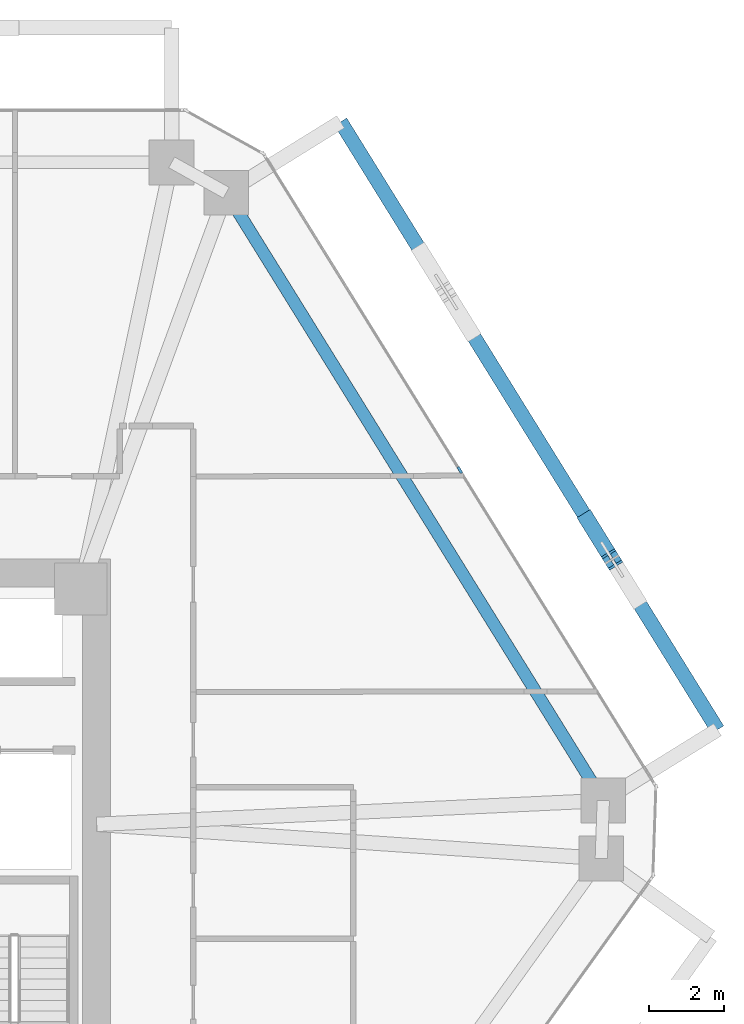
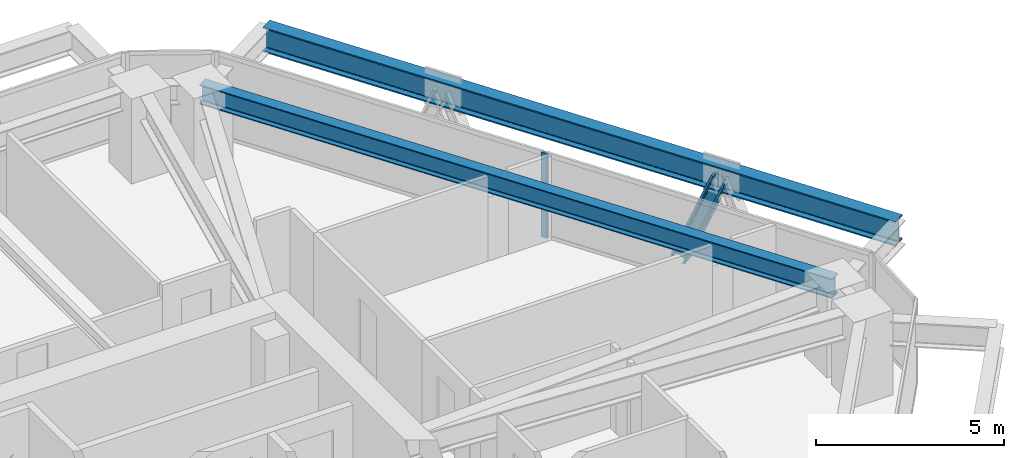
# One storey, part 6 of 17: 2 beams, 2 members, 1 element without a shape of its own.
"""IFC4 building model written with IfcOpenShell, lengths in metres."""

from ifc_helpers import new_model, si_unit, direction, frame, origin, origin_2d, place, context, subcontext, project, spatial, rectangle, i_section, extrude, source, transform, mapped, material, layer, layer_set, material_profile, profile_set, type_object, type_shapes, element, aggregate, save


model = new_model("IFC4")

# Units and contexts
model_context = context("Model", 3, precision=1e-05, world=origin(), true_north=direction((0.0, 1.0)))
body_context = subcontext(model_context, "Body", "Model", "MODEL_VIEW")
ifc_project = project(units=[si_unit("LENGTHUNIT", "METRE"), si_unit("AREAUNIT", "SQUARE_METRE"), si_unit("VOLUMEUNIT", "CUBIC_METRE"), si_unit("PLANEANGLEUNIT", "RADIAN"), si_unit("MASSUNIT", "GRAM", prefix="KILO")], contexts=[model_context])

# Site, building, storey
site_placement = place(None, origin())
site = spatial("IfcSite", under=ifc_project, at=site_placement, CompositionType="ELEMENT")
building_placement = place(site_placement, origin())
building = spatial("IfcBuilding", under=site, at=building_placement, Name="Durnholm Broadcast Tower", CompositionType="ELEMENT")
storey_placement = place(building_placement, frame((0.0, 0.0, 143.10009765625)))
storey = spatial("IfcBuildingStorey", under=building, at=storey_placement, Name="L39", CompositionType="ELEMENT", Elevation=143.10009765625)

# Beams
ifc_material_1 = material(Name="Steel ASTM A992 Grade 50", Category="steel")
ifc_material_profile_1 = material_profile(ifc_material_1, i_section(OverallWidth=0.3291015625, OverallDepth=0.635009765625, WebThickness=0.017822265625, FlangeThickness=0.031005859375, FilletRadius=0.02783203125, at=origin_2d()), Name="W24X162")
ifc_profile_set_1 = profile_set([ifc_material_profile_1], Name="Steel ASTM A992 Grade 50")
beam_type_1 = type_object("IfcBeamType", Name="STL-SP-W24X162", PredefinedType="SPANDREL", material=ifc_profile_set_1)
shared_shape_1 = source(origin(), body_context, "Body", "SweptSolid", [
    extrude(i_section(OverallWidth=0.3291015625, OverallDepth=0.635009765625, WebThickness=0.017822265625, FlangeThickness=0.031005859375, FilletRadius=0.02783203125, at=origin_2d()), origin(), (0.0, 0.0, 1.0), 19.139404296875),
])
type_shapes(beam_type_1, [shared_shape_1])
beam_1_placement = place(storey_placement, frame((13.692138671875, 18.4013671875, 2.427490234375), z_axis=(0.527111038734, -0.84979641847, 0.0), x_axis=(0.84979641847, 0.527111038734, 0.0)))
element("IfcBeam", 1, at=beam_1_placement, inside=storey, type_object=beam_type_1, Name="L39 perimeter spandrel girder 07", PredefinedType="SPANDREL", context=body_context, shape_type="MappedRepresentation", body=[
    mapped(shared_shape_1, transform((0.0, 0.0, 0.0), x_axis=(1.0, 0.0, 0.0), y_axis=(0.0, 1.0, 0.0), z_axis=(0.0, 0.0, 1.0), scale=1.0)),
])
ifc_material_profile_2 = material_profile(ifc_material_1, i_section(OverallWidth=0.385009765625, OverallDepth=0.802978515625, WebThickness=0.023681640625, FlangeThickness=0.0419921875, FilletRadius=0.032958984375, at=origin_2d()), Name="W30X261")
ifc_profile_set_2 = profile_set([ifc_material_profile_2], Name="Steel ASTM A992 Grade 50")
beam_type_2 = type_object("IfcBeamType", Name="BM-EXO-TIE", PredefinedType="USERDEFINED", material=ifc_profile_set_2)
shared_shape_2 = source(origin(), body_context, "Body", "SweptSolid", [
    extrude(i_section(OverallWidth=0.385009765625, OverallDepth=0.802978515625, WebThickness=0.023681640625, FlangeThickness=0.0419921875, FilletRadius=0.032958984375, at=origin_2d()), origin(), (0.0, 0.0, 1.0), 19.139404296875),
])
type_shapes(beam_type_2, [shared_shape_2])
beam_2_placement = place(storey_placement, frame((26.840087890625, 4.0341796875, 2.008544921875), z_axis=(-0.527111038734, 0.84979641847, 0.0), x_axis=(-0.84979641847, -0.527111038734, 0.0)))
element("IfcBeam", 2, at=beam_2_placement, inside=storey, type_object=beam_type_2, Name="L39 exoskeleton collector spandrel F3", PredefinedType="SPANDREL", context=body_context, shape_type="MappedRepresentation", body=[
    mapped(shared_shape_2, transform((0.0, 0.0, 0.0), x_axis=(1.0, 0.0, 0.0), y_axis=(0.0, 1.0, 0.0), z_axis=(0.0, 0.0, 1.0), scale=1.0)),
])

# Member
ifc_material_2 = material(Name="Steel ASTM A913 Grade 65", Category="steel")
ifc_material_profile_3 = material_profile(ifc_material_2, i_section(OverallWidth=0.41845703125, OverallDepth=0.455078125, WebThickness=0.0419921875, FlangeThickness=0.067626953125, FilletRadius=0.030517578125, at=origin_2d()), Name="W14X370")
ifc_profile_set_3 = profile_set([ifc_material_profile_3], Name="Steel ASTM A913 Grade 65")
member_type_1 = type_object("IfcMemberType", Name="STL-DG-W14X370", PredefinedType="BRACE", material=ifc_profile_set_3)
shared_shape_3 = source(origin(), body_context, "Body", "SweptSolid", [
    extrude(i_section(OverallWidth=0.41845703125, OverallDepth=0.455078125, WebThickness=0.0419921875, FlangeThickness=0.067626953125, FilletRadius=0.030517578125, at=origin_2d()), origin(), (0.0, 0.0, 1.0), 3.24365234375),
])
type_shapes(member_type_1, [shared_shape_3])
member_1_placement = place(storey_placement, frame((23.36474609375, 9.63671875, -0.991455078125), z_axis=(0.200504729124, -0.323185925998, 0.924850642447), x_axis=(0.849750220063, 0.527185511469, 0.0)))
element("IfcMember", 3, at=member_1_placement, inside=storey, type_object=member_type_1, Name="L39 stand-off diagrid brace F3.D1.2", PredefinedType="BRACE", context=body_context, shape_type="MappedRepresentation", body=[
    mapped(shared_shape_3, transform((0.0, 0.0, 0.0), x_axis=(1.0, 0.0, 0.0), y_axis=(0.0, 1.0, 0.0), z_axis=(0.0, 0.0, 1.0), scale=1.0)),
])

# Curtain wall, member
ifc_material_3 = material(Name="Aluminium and Solar Control IGU", Category="aluminium")
ifc_layer = layer(ifc_material_3, 0.18994140625)
ifc_layer_set = layer_set([ifc_layer], Name="Aluminium and Solar Control IGU")
curtain_wall_type = type_object("IfcCurtainWallType", Name="CW-SYS-3", PredefinedType="NOTDEFINED", material=ifc_layer_set)
curtain_wall_placement = place(storey_placement, origin())
curtain_wall = element("IfcCurtainWall", 4, at=curtain_wall_placement, inside=storey, type_object=curtain_wall_type, Name="L39 curtain wall CW-Z12-VIS CW-L39-F06", PredefinedType="NOTDEFINED")
ifc_material_4 = material(Name="Aluminium 6063-T6", Category="aluminium")
ifc_material_profile_4 = material_profile(ifc_material_4, rectangle(XDim=0.070068359375, YDim=0.18994140625, at=origin_2d()), Name="CWM70X190")
ifc_profile_set_4 = profile_set([ifc_material_profile_4], Name="Aluminium 6063-T6")
member_type_2 = type_object("IfcMemberType", Name="CW-SYS-3-MUL", PredefinedType="MULLION", material=ifc_profile_set_4)
shared_shape_4 = source(origin(), body_context, "Body", "SweptSolid", [
    extrude(rectangle(XDim=0.070068359375, YDim=0.18994140625, at=origin_2d()), origin(), (0.0, 0.0, 1.0), 2.760009765625),
])
type_shapes(member_type_2, [shared_shape_4])
member_2_placement = place(storey_placement, frame((19.9423828125, 10.980712890625, 0.0), z_axis=(0.0, 0.0, 1.0), x_axis=(0.849799925229, 0.527105385176, 0.0)))
member_2 = element("IfcMember", 5, at=member_2_placement, type_object=member_type_2, Name="CW-Z12-VIS mullion 2", PredefinedType="MULLION", context=body_context, shape_type="MappedRepresentation", body=[
    mapped(shared_shape_4, transform((0.0, 0.0, 0.0), x_axis=(1.0, 0.0, 0.0), y_axis=(0.0, 1.0, 0.0), z_axis=(0.0, 0.0, 1.0), scale=1.0)),
])
aggregate(curtain_wall, [member_2])

save(model, "model.ifc")
